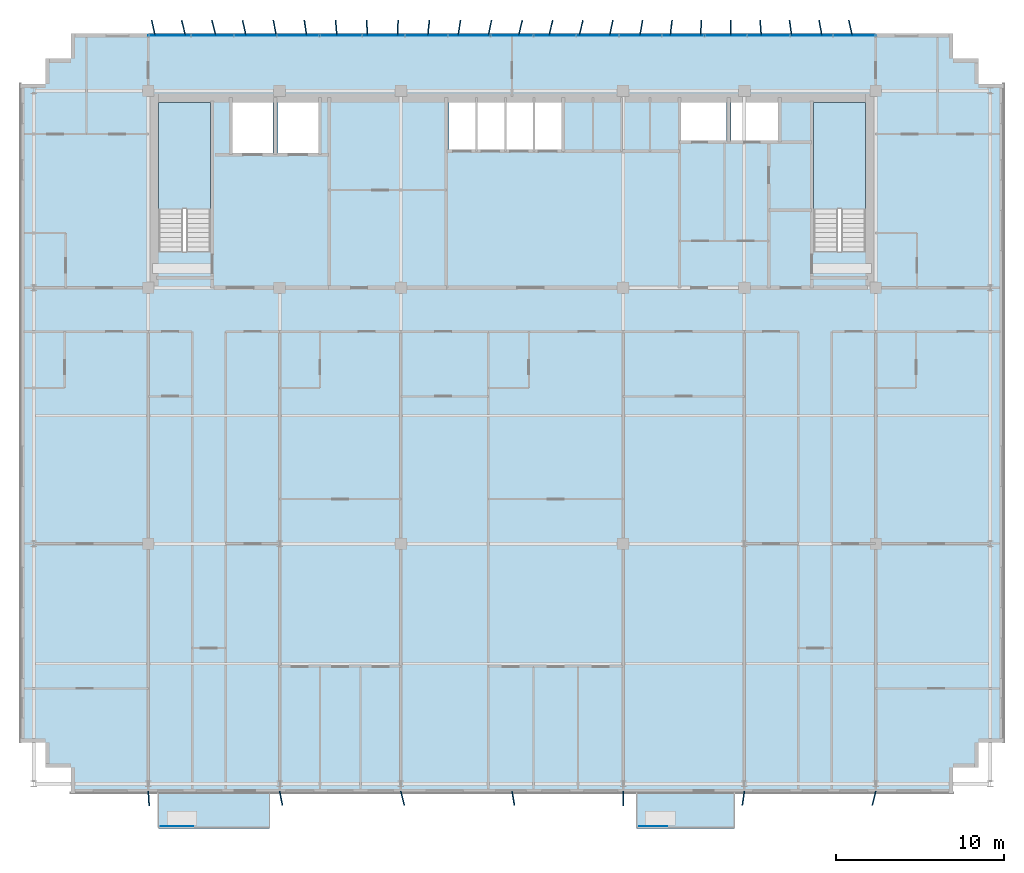
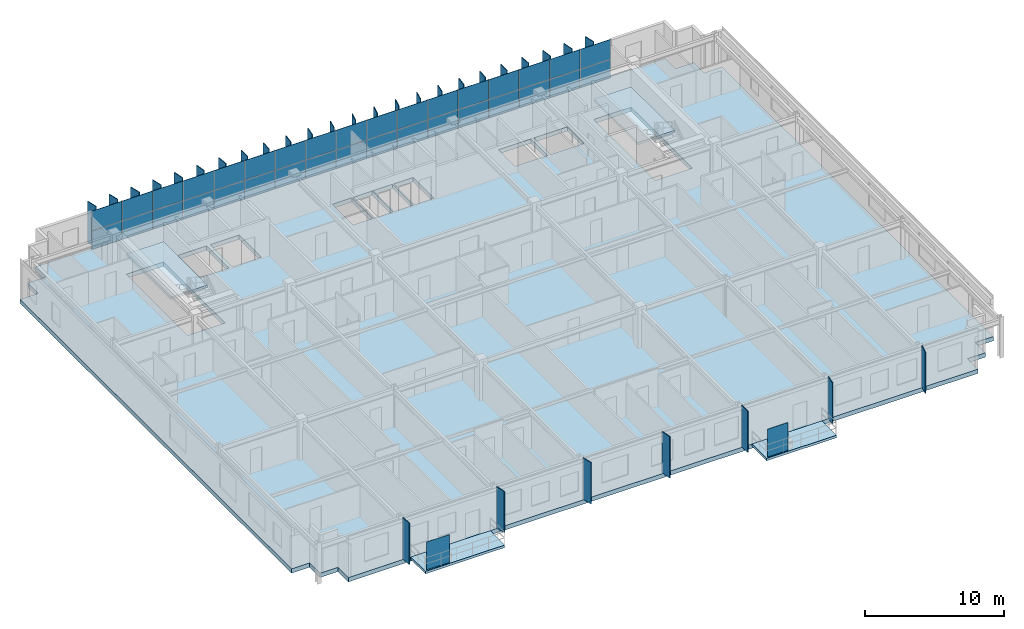
# One storey, part 15 of 23: 67 plates, 5 slabs, 3 elements without a shape of their own.
"""IFC4 building model written with IfcOpenShell, lengths in metres."""

from ifc_helpers import new_model, si_unit, direction, frame, origin, origin_2d, place, context, subcontext, project, spatial, polyline, rectangle, outline, extrude, source, transform, mapped, material, layer, layer_set, type_object, element, aggregate, save


model = new_model("IFC4")

# Units and contexts
model_context = context("Model", 3, precision=1e-05, world=origin(), true_north=direction((0.0, 1.0)))
body_context = subcontext(model_context, "Body", "Model", "MODEL_VIEW")
ifc_project = project(units=[si_unit("LENGTHUNIT", "METRE"), si_unit("AREAUNIT", "SQUARE_METRE"), si_unit("VOLUMEUNIT", "CUBIC_METRE"), si_unit("PLANEANGLEUNIT", "RADIAN"), si_unit("MASSUNIT", "GRAM", prefix="KILO")], contexts=[model_context])

# Site, building, storey
site_placement = place(None, origin())
site = spatial("IfcSite", under=ifc_project, at=site_placement, CompositionType="ELEMENT")
building_placement = place(site_placement, origin())
building = spatial("IfcBuilding", under=site, at=building_placement, Name="Trelvane Seafront Commons", CompositionType="ELEMENT")
storey_placement = place(building_placement, frame((0.0, 0.0, 204.89990234375)))
storey = spatial("IfcBuildingStorey", under=building, at=storey_placement, Name="L53", CompositionType="ELEMENT", Elevation=204.89990234375)

# Slabs
ifc_material_1 = material(Name="Concrete C40/50", Category="concrete")
ifc_layer_1 = layer(ifc_material_1, 0.219970703125, Name="ARCH-BALC-220")
ifc_layer_set_1 = layer_set([ifc_layer_1], Name="Concrete C40/50")
slab_type_1 = type_object("IfcSlabType", Name="ARCH-BALC-220", PredefinedType="FLOOR", material=ifc_layer_set_1)
slab_1_placement = place(storey_placement, frame((0.0, 0.0, -0.219970703125)))
element("IfcSlab", 1, at=slab_1_placement, inside=storey, type_object=slab_type_1, Name="L53 Cantilevered Tree Balcony Loggia 1", PredefinedType="FLOOR", context=body_context, shape_type="SweptSolid", body=[
    extrude(outline(polyline([(16.199951171875, 1.300048828125), (22.800048828125, 1.300048828125), (22.800048828125, 3.39990234375), (16.199951171875, 3.39990234375), (16.199951171875, 1.300048828125)])), origin(), (0.0, 0.0, 1.0), 0.219970703125),
])
slab_2_placement = place(storey_placement, frame((0.0, 0.0, -0.219970703125)))
element("IfcSlab", 2, at=slab_2_placement, inside=storey, type_object=slab_type_1, Name="L53 Cantilevered Tree Balcony Loggia 2", PredefinedType="FLOOR", context=body_context, shape_type="SweptSolid", body=[
    extrude(outline(polyline([(44.60009765625, 1.300048828125), (50.39990234375, 1.300048828125), (50.39990234375, 3.39990234375), (44.60009765625, 3.39990234375), (44.60009765625, 1.300048828125)])), origin(), (0.0, 0.0, 1.0), 0.219970703125),
])

# Stair, slab
stair_type_1 = type_object("IfcStairType", Name="ARCH-STR-ST-1-R20-180", PredefinedType="HALF_TURN_STAIR", material=ifc_material_1)
stair_1_placement = place(storey_placement, origin())
stair_1 = element("IfcStair", 3, at=stair_1_placement, inside=storey, type_object=stair_type_1, Name="L53 West Protected Firefighting Exit Stair ST-1", PredefinedType="HALF_TURN_STAIR")
ifc_layer_2 = layer(ifc_material_1, 0.199951171875, Name="ARCH-LND-200")
ifc_layer_set_2 = layer_set([ifc_layer_2], Name="Concrete C40/50")
slab_type_2 = type_object("IfcSlabType", Name="ARCH-LND-200", PredefinedType="LANDING", material=ifc_layer_set_2)
slab_3_placement = place(storey_placement, frame((0.0, 0.0, 1.60009765625)))
slab_3 = element("IfcSlab", 4, at=slab_3_placement, type_object=slab_type_2, Name="ST-1 landing 1", PredefinedType="LANDING", context=body_context, shape_type="SweptSolid", body=[
    extrude(outline(polyline([(19.300048828125, 38.070068359375), (19.300048828125, 44.39990234375), (16.199951171875, 44.39990234375), (16.199951171875, 38.070068359375), (19.300048828125, 38.070068359375)])), origin(), (0.0, 0.0, 1.0), 0.199951171875),
])
aggregate(stair_1, [slab_3])

stair_type_2 = type_object("IfcStairType", Name="ARCH-STR-ST-2-R20-180", PredefinedType="HALF_TURN_STAIR", material=ifc_material_1)
stair_2_placement = place(storey_placement, origin())
stair_2 = element("IfcStair", 5, at=stair_2_placement, inside=storey, type_object=stair_type_2, Name="L53 East Protected Firefighting Exit Stair ST-2", PredefinedType="HALF_TURN_STAIR")
slab_4_placement = place(storey_placement, frame((0.0, 0.0, 1.60009765625)))
slab_4 = element("IfcSlab", 6, at=slab_4_placement, type_object=slab_type_2, Name="ST-2 landing 1", PredefinedType="LANDING", context=body_context, shape_type="SweptSolid", body=[
    extrude(outline(polyline([(58.199951171875, 38.070068359375), (58.199951171875, 44.39990234375), (55.10009765625, 44.39990234375), (55.10009765625, 38.070068359375), (58.199951171875, 38.070068359375)])), origin(), (0.0, 0.0, 1.0), 0.199951171875),
])
aggregate(stair_2, [slab_4])

# Slab
ifc_material_2 = material(Name="Concrete C60/75", Category="concrete")
ifc_layer_3 = layer(ifc_material_2, 0.3798828125, Name="STR-SLB-T380")
ifc_layer_set_3 = layer_set([ifc_layer_3], Name="Concrete C60/75")
slab_type_3 = type_object("IfcSlabType", Name="STR-SLB-T380", PredefinedType="FLOOR", material=ifc_layer_set_3)
slab_5_placement = place(storey_placement, frame((0.0, 0.0, -0.3798828125)))
element("IfcSlab", 7, at=slab_5_placement, inside=storey, type_object=slab_type_3, Name="L53 Structural Floor Slab", PredefinedType="FLOOR", context=body_context, shape_type="SweptSolid", body=[
    extrude(outline(polyline([(11.0, 3.39990234375), (63.39990234375, 3.39990234375), (63.39990234375, 4.89990234375), (64.89990234375, 4.89990234375), (64.89990234375, 6.39990234375), (66.39990234375, 6.39990234375), (66.39990234375, 45.5), (64.89990234375, 45.5), (64.89990234375, 47.0), (63.39990234375, 47.0), (63.39990234375, 48.5), (11.0, 48.5), (11.0, 47.0), (9.5, 47.0), (9.5, 45.5), (8.0, 45.5), (8.0, 6.39990234375), (9.5, 6.39990234375), (9.5, 4.89990234375), (11.0, 4.89990234375), (11.0, 3.39990234375)]), holes=[polyline([(19.300048828125, 35.550048828125), (16.199951171875, 35.550048828125), (16.199951171875, 44.39990234375), (19.300048828125, 44.39990234375), (19.300048828125, 35.550048828125)]), polyline([(58.199951171875, 35.550048828125), (55.10009765625, 35.550048828125), (55.10009765625, 44.39990234375), (58.199951171875, 44.39990234375), (58.199951171875, 35.550048828125)]), polyline([(23.0, 41.39990234375), (20.60009765625, 41.39990234375), (20.60009765625, 44.60009765625), (23.0, 44.60009765625), (23.0, 41.39990234375)]), polyline([(23.300048828125, 41.39990234375), (23.300048828125, 44.60009765625), (25.699951171875, 44.60009765625), (25.699951171875, 41.39990234375), (23.300048828125, 41.39990234375)]), polyline([(33.449951171875, 41.60009765625), (33.449951171875, 44.60009765625), (35.070068359375, 44.60009765625), (35.070068359375, 41.60009765625), (33.449951171875, 41.60009765625)]), polyline([(36.77001953125, 41.60009765625), (35.14990234375, 41.60009765625), (35.14990234375, 44.60009765625), (36.77001953125, 44.60009765625), (36.77001953125, 41.60009765625)]), polyline([(38.469970703125, 41.60009765625), (36.85009765625, 41.60009765625), (36.85009765625, 44.60009765625), (38.469970703125, 44.60009765625), (38.469970703125, 41.60009765625)]), polyline([(40.169921875, 41.60009765625), (38.550048828125, 41.60009765625), (38.550048828125, 44.60009765625), (40.169921875, 44.60009765625), (40.169921875, 41.60009765625)]), polyline([(47.25, 42.14990234375), (47.25, 44.550048828125), (49.949951171875, 44.550048828125), (49.949951171875, 42.14990234375), (47.25, 42.14990234375)]), polyline([(50.199951171875, 42.14990234375), (50.199951171875, 44.550048828125), (53.0, 44.550048828125), (53.0, 42.14990234375), (50.199951171875, 42.14990234375)])]), origin(), (0.0, 0.0, 1.0), 0.3798828125),
])

# Plates
ifc_material_3 = material(Name="Perforated anodised aluminium screen", Category="aluminium")
ifc_layer_4 = layer(ifc_material_3, 0.01611328125, Name="ARCH-PLATE-SCREEN")
ifc_layer_set_4 = layer_set([ifc_layer_4], Name="Perforated anodised aluminium screen")
plate_type_1 = type_object("IfcPlateType", Name="ARCH-PLATE-SCREEN", PredefinedType="USERDEFINED", material=ifc_layer_set_4)
shared_shape_1 = source(origin(), body_context, "Body", "SweptSolid", [
    extrude(rectangle(XDim=1.9140625, YDim=0.01611328125, at=origin_2d()), origin(), (0.0, 0.0, 1.0), 2.449951171875),
])
plate_1_placement = place(storey_placement, frame((17.306884765625, 1.419921875, 0.0), z_axis=(0.0, 0.0, 1.0), x_axis=(1.0, 0.0, 0.0)))
element("IfcPlate", 8, at=plate_1_placement, inside=storey, type_object=plate_type_1, Name="SCR-L53-00188", ObjectType="SCREEN", PredefinedType="USERDEFINED", context=body_context, shape_type="MappedRepresentation", body=[
    mapped(shared_shape_1, transform((0.0, 0.0, 0.0), x_axis=(1.0, 0.0, 0.0), y_axis=(0.0, 1.0, 0.0), z_axis=(0.0, 0.0, 1.0), scale=1.0)),
])
shared_shape_2 = source(origin(), body_context, "Body", "SweptSolid", [
    extrude(rectangle(XDim=1.681884765625, YDim=0.01611328125, at=origin_2d()), origin(), (0.0, 0.0, 1.0), 2.449951171875),
])
plate_2_placement = place(storey_placement, frame((45.591064453125, 1.419921875, 0.0), z_axis=(0.0, 0.0, 1.0), x_axis=(1.0, 0.0, 0.0)))
element("IfcPlate", 9, at=plate_2_placement, inside=storey, type_object=plate_type_1, Name="SCR-L53-00189", ObjectType="SCREEN", PredefinedType="USERDEFINED", context=body_context, shape_type="MappedRepresentation", body=[
    mapped(shared_shape_2, transform((0.0, 0.0, 0.0), x_axis=(1.0, 0.0, 0.0), y_axis=(0.0, 1.0, 0.0), z_axis=(0.0, 0.0, 1.0), scale=1.0)),
])
ifc_material_4 = material(Name="Anodised pale-silver aluminium", Category="aluminium")
ifc_layer_5 = layer(ifc_material_4, 0.06005859375, Name="ARCH-PLATE-FIN900")
ifc_layer_set_5 = layer_set([ifc_layer_5], Name="Anodised pale-silver aluminium")
plate_type_2 = type_object("IfcPlateType", Name="ARCH-PLATE-FIN900", PredefinedType="USERDEFINED", material=ifc_layer_set_5)
shared_shape_3 = source(origin(), body_context, "Body", "SweptSolid", [
    extrude(rectangle(XDim=0.89990234375, YDim=0.06005859375, at=origin_2d()), origin(), (0.0, 0.0, 1.0), 3.639892578125),
])
for number, where, z_axis, x_axis, name in (
    (10, (15.901123046875, 48.839111328125, -0.02001953125), (0.0, 0.0, 1.0), (-0.219776396002, 0.975550273313, 0.0), "FIN-L53-01449"),
    (11, (17.692626953125, 48.8369140625, -0.02001953125), (0.0, 0.0, 1.0), (-0.238769048477, 0.971076382933, 0.0), "FIN-L53-01450"),
    (12, (19.49169921875, 48.8369140625, -0.02001953125), (0.0, 0.0, 1.0), (-0.240443202498, 0.970663209549, 0.0), "FIN-L53-01451"),
    (13, (21.298828125, 48.83837890625, -0.02001953125), (0.0, 0.0, 1.0), (-0.224665344453, 0.974435981993, 0.0), "FIN-L53-01452"),
    (14, (23.113525390625, 48.841552734375, -0.02001953125), (0.0, 0.0, 1.0), (-0.192225664324, 0.98135074972, 0.0), "FIN-L53-01453"),
    (15, (24.9345703125, 48.84521484375, -0.02001953125), (0.0, 0.0, 1.0), (-0.145449334258, 0.989365701429, 0.0), "FIN-L53-01454"),
    (16, (26.760498046875, 48.848388671875, -0.02001953125), (0.0, 0.0, 1.0), (-0.087670382667, 0.996149538976, 0.0), "FIN-L53-01455"),
    (17, (28.589599609375, 48.849853515625, -0.02001953125), (0.0, 0.0, 1.0), (-0.022999665984, 0.999735472695, 0.0), "FIN-L53-01456"),
    (18, (30.419677734375, 48.849609375, -0.02001953125), (0.0, 0.0, 1.0), (0.043558358901, 0.999050884275, 0.0), "FIN-L53-01457"),
    (19, (32.248046875, 48.847412109375, -0.02001953125), (0.0, 0.0, 1.0), (0.106552151091, 0.99430711508, 0.0), "FIN-L53-01458"),
    (20, (34.072509765625, 48.843994140625, -0.02001953125), (0.0, 0.0, 1.0), (0.161443636877, 0.986881934231, 0.0), "FIN-L53-01459"),
    (21, (35.891845703125, 48.840576171875, -0.02001953125), (0.0, 0.0, 1.0), (0.203993741851, 0.978972192294, 0.0), "FIN-L53-01460"),
    (22, (37.7041015625, 48.837890625, -0.02001953125), (0.0, 0.0, 1.0), (0.231435493737, 0.972850251703, 0.0), "FIN-L53-01461"),
    (23, (39.5087890625, 48.836669921875, -0.02001953125), (0.0, 0.0, 1.0), (0.241881251735, 0.970305859025, 0.0), "FIN-L53-01462"),
    (24, (41.3056640625, 48.83740234375, -0.02001953125), (0.0, 0.0, 1.0), (0.234658612322, 0.972077844446, 0.0), "FIN-L53-01463"),
    (25, (44.876708984375, 48.843505859375, -0.02001953125), (0.0, 0.0, 1.0), (0.170450274655, 0.985366279041, 0.0), "FIN-L53-01465"),
    (26, (46.653076171875, 48.846923828125, -0.02001953125), (0.0, 0.0, 1.0), (0.11767258842, 0.993052446719, 0.0), "FIN-L53-01466"),
    (27, (48.42529296875, 48.849365234375, -0.02001953125), (0.0, 0.0, 1.0), (0.055887723969, 0.998437059764, 0.0), "FIN-L53-01467"),
    (28, (50.1953125, 48.85009765625, -0.02001953125), (0.0, 0.0, 1.0), (-0.01033216533, 0.999946621755, 0.0), "FIN-L53-01468"),
    (29, (51.9658203125, 48.8486328125, -0.02001953125), (0.0, 0.0, 1.0), (-0.075779294112, 0.997124615374, 0.0), "FIN-L53-01469"),
    (30, (53.739013671875, 48.845703125, -0.02001953125), (0.0, 0.0, 1.0), (-0.13533687185, 0.990799642268, 0.0), "FIN-L53-01470"),
    (31, (55.51708984375, 48.84228515625, -0.02001953125), (0.0, 0.0, 1.0), (-0.184436827621, 0.982844370497, 0.0), "FIN-L53-01471"),
    (32, (57.301025390625, 48.839111328125, -0.02001953125), (0.0, 0.0, 1.0), (-0.219776396002, 0.975550273313, 0.0), "FIN-L53-01472"),
):
    element("IfcPlate", number, at=place(storey_placement, frame(where, z_axis=z_axis, x_axis=x_axis)), inside=storey, type_object=plate_type_2, Name=name, ObjectType="FIN", PredefinedType="USERDEFINED", context=body_context, shape_type="MappedRepresentation", body=[
        mapped(shared_shape_3, transform((0.0, 0.0, 0.0), x_axis=(1.0, 0.0, 0.0), y_axis=(0.0, 1.0, 0.0), z_axis=(0.0, 0.0, 1.0), scale=1.0)),
    ])
shared_shape_4 = source(origin(), body_context, "Body", "SweptSolid", [
    extrude(rectangle(XDim=0.900146484375, YDim=0.06005859375, at=origin_2d()), origin(), (0.0, 0.0, 1.0), 3.639892578125),
])
plate_3_placement = place(storey_placement, frame((43.0947265625, 48.840087890625, -0.02001953125), z_axis=(0.0, 0.0, 1.0), x_axis=(0.210432516275, 0.977608385855, 0.0)))
element("IfcPlate", 33, at=plate_3_placement, inside=storey, type_object=plate_type_2, Name="FIN-L53-01464", ObjectType="FIN", PredefinedType="USERDEFINED", context=body_context, shape_type="MappedRepresentation", body=[
    mapped(shared_shape_4, transform((0.0, 0.0, 0.0), x_axis=(1.0, 0.0, 0.0), y_axis=(0.0, 1.0, 0.0), z_axis=(0.0, 0.0, 1.0), scale=1.0)),
])
shared_shape_5 = source(origin(), body_context, "Body", "SweptSolid", [
    extrude(rectangle(XDim=0.85009765625, YDim=0.06005859375, at=origin_2d()), origin(), (0.0, 0.0, 1.0), 3.639892578125),
])
for number, where, z_axis, x_axis, name in (
    (34, (15.627197265625, 3.07568359375, -0.02001953125), (0.0, 0.0, 1.0), (0.063762461564, -0.997965103846, 0.0), "FIN-S-L53-01473"),
    (35, (23.484619140625, 3.08349609375, -0.02001953125), (0.0, 0.0, 1.0), (0.199417532608, -0.979914612448, 0.0), "FIN-S-L53-01474"),
    (36, (30.702392578125, 3.08740234375, -0.02001953125), (0.0, 0.0, 1.0), (0.240929386731, -0.970542647496, 0.0), "FIN-S-L53-01475"),
    (37, (37.2724609375, 3.081298828125, -0.02001953125), (0.0, 0.0, 1.0), (0.170462313162, -0.985364196524, 0.0), "FIN-S-L53-01476"),
    (38, (43.80810546875, 3.0751953125, -0.02001953125), (0.0, 0.0, 1.0), (0.018824009441, -0.999822812637, 0.0), "FIN-S-L53-01477"),
    (39, (50.939697265625, 3.079345703125, -0.02001953125), (0.0, 0.0, 1.0), (-0.141998372633, -0.989866891137, 0.0), "FIN-S-L53-01478"),
    (40, (58.7001953125, 3.0869140625, -0.02001953125), (0.0, 0.0, 1.0), (-0.234694240678, -0.972069243106, 0.0), "FIN-S-L53-01479"),
):
    element("IfcPlate", number, at=place(storey_placement, frame(where, z_axis=z_axis, x_axis=x_axis)), inside=storey, type_object=plate_type_2, Name=name, ObjectType="FIN", PredefinedType="USERDEFINED", context=body_context, shape_type="MappedRepresentation", body=[
        mapped(shared_shape_5, transform((0.0, 0.0, 0.0), x_axis=(1.0, 0.0, 0.0), y_axis=(0.0, 1.0, 0.0), z_axis=(0.0, 0.0, 1.0), scale=1.0)),
    ])

# Curtain wall, plates
curtain_wall_type = type_object("IfcCurtainWallType", Name="ARCH-CW5-UPTOWER", PredefinedType="NOTDEFINED", material=ifc_material_4)
curtain_wall_placement = place(storey_placement, origin())
curtain_wall = element("IfcCurtainWall", 41, at=curtain_wall_placement, inside=storey, type_object=curtain_wall_type, Name="CW-L53-0096", PredefinedType="NOTDEFINED")
ifc_material_5 = material(Name="Low-E coastal double glazing", Category="glass")
ifc_layer_6 = layer(ifc_material_5, 0.033935546875, Name="ARCH-CW-GLAZ-34")
ifc_layer_set_6 = layer_set([ifc_layer_6], Name="Low-E coastal double glazing")
plate_type_3 = type_object("IfcPlateType", Name="ARCH-CW-GLAZ-34", PredefinedType="CURTAIN_PANEL", material=ifc_layer_set_6)
shared_shape_6 = source(origin(), body_context, "Body", "SweptSolid", [
    extrude(rectangle(XDim=2.51708984375, YDim=0.033935546875, at=origin_2d()), origin(), (0.0, 0.0, 1.0), 1.594970703125),
])
plate_4_placement = place(storey_placement, frame((16.87060546875, 48.3701171875, 0.0), z_axis=(0.0, 0.0, 1.0), x_axis=(1.0, 0.0, 0.0)))
plate_4 = element("IfcPlate", 42, at=plate_4_placement, type_object=plate_type_3, Name="CW-L53-0096-P00-1", PredefinedType="CURTAIN_PANEL", context=body_context, shape_type="MappedRepresentation", body=[
    mapped(shared_shape_6, transform((0.0, 0.0, 0.0), x_axis=(1.0, 0.0, 0.0), y_axis=(0.0, 1.0, 0.0), z_axis=(0.0, 0.0, 1.0), scale=1.0)),
])
plate_5_placement = place(storey_placement, frame((19.411865234375, 48.3701171875, 0.0), z_axis=(0.0, 0.0, 1.0), x_axis=(1.0, 0.0, 0.0)))
plate_5 = element("IfcPlate", 43, at=plate_5_placement, type_object=plate_type_3, Name="CW-L53-0096-P01-1", PredefinedType="CURTAIN_PANEL", context=body_context, shape_type="MappedRepresentation", body=[
    mapped(shared_shape_6, transform((0.0, 0.0, 0.0), x_axis=(1.0, 0.0, 0.0), y_axis=(0.0, 1.0, 0.0), z_axis=(0.0, 0.0, 1.0), scale=1.0)),
])
plate_6_placement = place(storey_placement, frame((21.952880859375, 48.3701171875, 0.0), z_axis=(0.0, 0.0, 1.0), x_axis=(1.0, 0.0, 0.0)))
plate_6 = element("IfcPlate", 44, at=plate_6_placement, type_object=plate_type_3, Name="CW-L53-0096-P02-1", PredefinedType="CURTAIN_PANEL", context=body_context, shape_type="MappedRepresentation", body=[
    mapped(shared_shape_6, transform((0.0, 0.0, 0.0), x_axis=(1.0, 0.0, 0.0), y_axis=(0.0, 1.0, 0.0), z_axis=(0.0, 0.0, 1.0), scale=1.0)),
])
plate_7_placement = place(storey_placement, frame((24.494140625, 48.3701171875, 0.0), z_axis=(0.0, 0.0, 1.0), x_axis=(1.0, 0.0, 0.0)))
plate_7 = element("IfcPlate", 45, at=plate_7_placement, type_object=plate_type_3, Name="CW-L53-0096-P03-1", PredefinedType="CURTAIN_PANEL", context=body_context, shape_type="MappedRepresentation", body=[
    mapped(shared_shape_6, transform((0.0, 0.0, 0.0), x_axis=(1.0, 0.0, 0.0), y_axis=(0.0, 1.0, 0.0), z_axis=(0.0, 0.0, 1.0), scale=1.0)),
])
plate_8_placement = place(storey_placement, frame((27.035400390625, 48.3701171875, 0.0), z_axis=(0.0, 0.0, 1.0), x_axis=(1.0, 0.0, 0.0)))
plate_8 = element("IfcPlate", 46, at=plate_8_placement, type_object=plate_type_3, Name="CW-L53-0096-P04-1", PredefinedType="CURTAIN_PANEL", context=body_context, shape_type="MappedRepresentation", body=[
    mapped(shared_shape_6, transform((0.0, 0.0, 0.0), x_axis=(1.0, 0.0, 0.0), y_axis=(0.0, 1.0, 0.0), z_axis=(0.0, 0.0, 1.0), scale=1.0)),
])
plate_9_placement = place(storey_placement, frame((29.576416015625, 48.3701171875, 0.0), z_axis=(0.0, 0.0, 1.0), x_axis=(1.0, 0.0, 0.0)))
plate_9 = element("IfcPlate", 47, at=plate_9_placement, type_object=plate_type_3, Name="CW-L53-0096-P05-1", PredefinedType="CURTAIN_PANEL", context=body_context, shape_type="MappedRepresentation", body=[
    mapped(shared_shape_6, transform((0.0, 0.0, 0.0), x_axis=(1.0, 0.0, 0.0), y_axis=(0.0, 1.0, 0.0), z_axis=(0.0, 0.0, 1.0), scale=1.0)),
])
plate_10_placement = place(storey_placement, frame((32.11767578125, 48.3701171875, 0.0), z_axis=(0.0, 0.0, 1.0), x_axis=(1.0, 0.0, 0.0)))
plate_10 = element("IfcPlate", 48, at=plate_10_placement, type_object=plate_type_3, Name="CW-L53-0096-P06-1", PredefinedType="CURTAIN_PANEL", context=body_context, shape_type="MappedRepresentation", body=[
    mapped(shared_shape_6, transform((0.0, 0.0, 0.0), x_axis=(1.0, 0.0, 0.0), y_axis=(0.0, 1.0, 0.0), z_axis=(0.0, 0.0, 1.0), scale=1.0)),
])
plate_11_placement = place(storey_placement, frame((34.65869140625, 48.3701171875, 0.0), z_axis=(0.0, 0.0, 1.0), x_axis=(1.0, 0.0, 0.0)))
plate_11 = element("IfcPlate", 49, at=plate_11_placement, type_object=plate_type_3, Name="CW-L53-0096-P07-1", PredefinedType="CURTAIN_PANEL", context=body_context, shape_type="MappedRepresentation", body=[
    mapped(shared_shape_6, transform((0.0, 0.0, 0.0), x_axis=(1.0, 0.0, 0.0), y_axis=(0.0, 1.0, 0.0), z_axis=(0.0, 0.0, 1.0), scale=1.0)),
])
plate_12_placement = place(storey_placement, frame((37.199951171875, 48.3701171875, 0.0), z_axis=(0.0, 0.0, 1.0), x_axis=(1.0, 0.0, 0.0)))
plate_12 = element("IfcPlate", 50, at=plate_12_placement, type_object=plate_type_3, Name="CW-L53-0096-P08-1", PredefinedType="CURTAIN_PANEL", context=body_context, shape_type="MappedRepresentation", body=[
    mapped(shared_shape_6, transform((0.0, 0.0, 0.0), x_axis=(1.0, 0.0, 0.0), y_axis=(0.0, 1.0, 0.0), z_axis=(0.0, 0.0, 1.0), scale=1.0)),
])
plate_13_placement = place(storey_placement, frame((39.7412109375, 48.3701171875, 0.0), z_axis=(0.0, 0.0, 1.0), x_axis=(1.0, 0.0, 0.0)))
plate_13 = element("IfcPlate", 51, at=plate_13_placement, type_object=plate_type_3, Name="CW-L53-0096-P09-1", PredefinedType="CURTAIN_PANEL", context=body_context, shape_type="MappedRepresentation", body=[
    mapped(shared_shape_6, transform((0.0, 0.0, 0.0), x_axis=(1.0, 0.0, 0.0), y_axis=(0.0, 1.0, 0.0), z_axis=(0.0, 0.0, 1.0), scale=1.0)),
])
plate_14_placement = place(storey_placement, frame((42.282470703125, 48.3701171875, 0.0), z_axis=(0.0, 0.0, 1.0), x_axis=(1.0, 0.0, 0.0)))
plate_14 = element("IfcPlate", 52, at=plate_14_placement, type_object=plate_type_3, Name="CW-L53-0096-P10-1", PredefinedType="CURTAIN_PANEL", context=body_context, shape_type="MappedRepresentation", body=[
    mapped(shared_shape_6, transform((0.0, 0.0, 0.0), x_axis=(1.0, 0.0, 0.0), y_axis=(0.0, 1.0, 0.0), z_axis=(0.0, 0.0, 1.0), scale=1.0)),
])
plate_15_placement = place(storey_placement, frame((44.823486328125, 48.3701171875, 0.0), z_axis=(0.0, 0.0, 1.0), x_axis=(1.0, 0.0, 0.0)))
plate_15 = element("IfcPlate", 53, at=plate_15_placement, type_object=plate_type_3, Name="CW-L53-0096-P11-1", PredefinedType="CURTAIN_PANEL", context=body_context, shape_type="MappedRepresentation", body=[
    mapped(shared_shape_6, transform((0.0, 0.0, 0.0), x_axis=(1.0, 0.0, 0.0), y_axis=(0.0, 1.0, 0.0), z_axis=(0.0, 0.0, 1.0), scale=1.0)),
])
plate_16_placement = place(storey_placement, frame((47.36474609375, 48.3701171875, 0.0), z_axis=(0.0, 0.0, 1.0), x_axis=(1.0, 0.0, 0.0)))
plate_16 = element("IfcPlate", 54, at=plate_16_placement, type_object=plate_type_3, Name="CW-L53-0096-P12-1", PredefinedType="CURTAIN_PANEL", context=body_context, shape_type="MappedRepresentation", body=[
    mapped(shared_shape_6, transform((0.0, 0.0, 0.0), x_axis=(1.0, 0.0, 0.0), y_axis=(0.0, 1.0, 0.0), z_axis=(0.0, 0.0, 1.0), scale=1.0)),
])
plate_17_placement = place(storey_placement, frame((49.906005859375, 48.3701171875, 0.0), z_axis=(0.0, 0.0, 1.0), x_axis=(1.0, 0.0, 0.0)))
plate_17 = element("IfcPlate", 55, at=plate_17_placement, type_object=plate_type_3, Name="CW-L53-0096-P13-1", PredefinedType="CURTAIN_PANEL", context=body_context, shape_type="MappedRepresentation", body=[
    mapped(shared_shape_6, transform((0.0, 0.0, 0.0), x_axis=(1.0, 0.0, 0.0), y_axis=(0.0, 1.0, 0.0), z_axis=(0.0, 0.0, 1.0), scale=1.0)),
])
plate_18_placement = place(storey_placement, frame((52.447021484375, 48.3701171875, 0.0), z_axis=(0.0, 0.0, 1.0), x_axis=(1.0, 0.0, 0.0)))
plate_18 = element("IfcPlate", 56, at=plate_18_placement, type_object=plate_type_3, Name="CW-L53-0096-P14-1", PredefinedType="CURTAIN_PANEL", context=body_context, shape_type="MappedRepresentation", body=[
    mapped(shared_shape_6, transform((0.0, 0.0, 0.0), x_axis=(1.0, 0.0, 0.0), y_axis=(0.0, 1.0, 0.0), z_axis=(0.0, 0.0, 1.0), scale=1.0)),
])
plate_19_placement = place(storey_placement, frame((54.98828125, 48.3701171875, 0.0), z_axis=(0.0, 0.0, 1.0), x_axis=(1.0, 0.0, 0.0)))
plate_19 = element("IfcPlate", 57, at=plate_19_placement, type_object=plate_type_3, Name="CW-L53-0096-P15-1", PredefinedType="CURTAIN_PANEL", context=body_context, shape_type="MappedRepresentation", body=[
    mapped(shared_shape_6, transform((0.0, 0.0, 0.0), x_axis=(1.0, 0.0, 0.0), y_axis=(0.0, 1.0, 0.0), z_axis=(0.0, 0.0, 1.0), scale=1.0)),
])
plate_20_placement = place(storey_placement, frame((57.529296875, 48.3701171875, 0.0), z_axis=(0.0, 0.0, 1.0), x_axis=(1.0, 0.0, 0.0)))
plate_20 = element("IfcPlate", 58, at=plate_20_placement, type_object=plate_type_3, Name="CW-L53-0096-P16-1", PredefinedType="CURTAIN_PANEL", context=body_context, shape_type="MappedRepresentation", body=[
    mapped(shared_shape_6, transform((0.0, 0.0, 0.0), x_axis=(1.0, 0.0, 0.0), y_axis=(0.0, 1.0, 0.0), z_axis=(0.0, 0.0, 1.0), scale=1.0)),
])
shared_shape_7 = source(origin(), body_context, "Body", "SweptSolid", [
    extrude(rectangle(XDim=2.51708984375, YDim=0.033935546875, at=origin_2d()), origin(), (0.0, 0.0, 1.0), 1.72900390625),
])
plate_21_placement = place(storey_placement, frame((16.87060546875, 48.3701171875, 1.631103515625), z_axis=(0.0, 0.0, 1.0), x_axis=(1.0, 0.0, 0.0)))
plate_21 = element("IfcPlate", 59, at=plate_21_placement, type_object=plate_type_3, Name="CW-L53-0096-P00-2", PredefinedType="CURTAIN_PANEL", context=body_context, shape_type="MappedRepresentation", body=[
    mapped(shared_shape_7, transform((0.0, 0.0, 0.0), x_axis=(1.0, 0.0, 0.0), y_axis=(0.0, 1.0, 0.0), z_axis=(0.0, 0.0, 1.0), scale=1.0)),
])
plate_22_placement = place(storey_placement, frame((19.411865234375, 48.3701171875, 1.631103515625), z_axis=(0.0, 0.0, 1.0), x_axis=(1.0, 0.0, 0.0)))
plate_22 = element("IfcPlate", 60, at=plate_22_placement, type_object=plate_type_3, Name="CW-L53-0096-P01-2", PredefinedType="CURTAIN_PANEL", context=body_context, shape_type="MappedRepresentation", body=[
    mapped(shared_shape_7, transform((0.0, 0.0, 0.0), x_axis=(1.0, 0.0, 0.0), y_axis=(0.0, 1.0, 0.0), z_axis=(0.0, 0.0, 1.0), scale=1.0)),
])
plate_23_placement = place(storey_placement, frame((21.952880859375, 48.3701171875, 1.631103515625), z_axis=(0.0, 0.0, 1.0), x_axis=(1.0, 0.0, 0.0)))
plate_23 = element("IfcPlate", 61, at=plate_23_placement, type_object=plate_type_3, Name="CW-L53-0096-P02-2", PredefinedType="CURTAIN_PANEL", context=body_context, shape_type="MappedRepresentation", body=[
    mapped(shared_shape_7, transform((0.0, 0.0, 0.0), x_axis=(1.0, 0.0, 0.0), y_axis=(0.0, 1.0, 0.0), z_axis=(0.0, 0.0, 1.0), scale=1.0)),
])
plate_24_placement = place(storey_placement, frame((24.494140625, 48.3701171875, 1.631103515625), z_axis=(0.0, 0.0, 1.0), x_axis=(1.0, 0.0, 0.0)))
plate_24 = element("IfcPlate", 62, at=plate_24_placement, type_object=plate_type_3, Name="CW-L53-0096-P03-2", PredefinedType="CURTAIN_PANEL", context=body_context, shape_type="MappedRepresentation", body=[
    mapped(shared_shape_7, transform((0.0, 0.0, 0.0), x_axis=(1.0, 0.0, 0.0), y_axis=(0.0, 1.0, 0.0), z_axis=(0.0, 0.0, 1.0), scale=1.0)),
])
plate_25_placement = place(storey_placement, frame((27.035400390625, 48.3701171875, 1.631103515625), z_axis=(0.0, 0.0, 1.0), x_axis=(1.0, 0.0, 0.0)))
plate_25 = element("IfcPlate", 63, at=plate_25_placement, type_object=plate_type_3, Name="CW-L53-0096-P04-2", PredefinedType="CURTAIN_PANEL", context=body_context, shape_type="MappedRepresentation", body=[
    mapped(shared_shape_7, transform((0.0, 0.0, 0.0), x_axis=(1.0, 0.0, 0.0), y_axis=(0.0, 1.0, 0.0), z_axis=(0.0, 0.0, 1.0), scale=1.0)),
])
plate_26_placement = place(storey_placement, frame((29.576416015625, 48.3701171875, 1.631103515625), z_axis=(0.0, 0.0, 1.0), x_axis=(1.0, 0.0, 0.0)))
plate_26 = element("IfcPlate", 64, at=plate_26_placement, type_object=plate_type_3, Name="CW-L53-0096-P05-2", PredefinedType="CURTAIN_PANEL", context=body_context, shape_type="MappedRepresentation", body=[
    mapped(shared_shape_7, transform((0.0, 0.0, 0.0), x_axis=(1.0, 0.0, 0.0), y_axis=(0.0, 1.0, 0.0), z_axis=(0.0, 0.0, 1.0), scale=1.0)),
])
plate_27_placement = place(storey_placement, frame((32.11767578125, 48.3701171875, 1.631103515625), z_axis=(0.0, 0.0, 1.0), x_axis=(1.0, 0.0, 0.0)))
plate_27 = element("IfcPlate", 65, at=plate_27_placement, type_object=plate_type_3, Name="CW-L53-0096-P06-2", PredefinedType="CURTAIN_PANEL", context=body_context, shape_type="MappedRepresentation", body=[
    mapped(shared_shape_7, transform((0.0, 0.0, 0.0), x_axis=(1.0, 0.0, 0.0), y_axis=(0.0, 1.0, 0.0), z_axis=(0.0, 0.0, 1.0), scale=1.0)),
])
plate_28_placement = place(storey_placement, frame((34.65869140625, 48.3701171875, 1.631103515625), z_axis=(0.0, 0.0, 1.0), x_axis=(1.0, 0.0, 0.0)))
plate_28 = element("IfcPlate", 66, at=plate_28_placement, type_object=plate_type_3, Name="CW-L53-0096-P07-2", PredefinedType="CURTAIN_PANEL", context=body_context, shape_type="MappedRepresentation", body=[
    mapped(shared_shape_7, transform((0.0, 0.0, 0.0), x_axis=(1.0, 0.0, 0.0), y_axis=(0.0, 1.0, 0.0), z_axis=(0.0, 0.0, 1.0), scale=1.0)),
])
plate_29_placement = place(storey_placement, frame((37.199951171875, 48.3701171875, 1.631103515625), z_axis=(0.0, 0.0, 1.0), x_axis=(1.0, 0.0, 0.0)))
plate_29 = element("IfcPlate", 67, at=plate_29_placement, type_object=plate_type_3, Name="CW-L53-0096-P08-2", PredefinedType="CURTAIN_PANEL", context=body_context, shape_type="MappedRepresentation", body=[
    mapped(shared_shape_7, transform((0.0, 0.0, 0.0), x_axis=(1.0, 0.0, 0.0), y_axis=(0.0, 1.0, 0.0), z_axis=(0.0, 0.0, 1.0), scale=1.0)),
])
plate_30_placement = place(storey_placement, frame((39.7412109375, 48.3701171875, 1.631103515625), z_axis=(0.0, 0.0, 1.0), x_axis=(1.0, 0.0, 0.0)))
plate_30 = element("IfcPlate", 68, at=plate_30_placement, type_object=plate_type_3, Name="CW-L53-0096-P09-2", PredefinedType="CURTAIN_PANEL", context=body_context, shape_type="MappedRepresentation", body=[
    mapped(shared_shape_7, transform((0.0, 0.0, 0.0), x_axis=(1.0, 0.0, 0.0), y_axis=(0.0, 1.0, 0.0), z_axis=(0.0, 0.0, 1.0), scale=1.0)),
])
plate_31_placement = place(storey_placement, frame((42.282470703125, 48.3701171875, 1.631103515625), z_axis=(0.0, 0.0, 1.0), x_axis=(1.0, 0.0, 0.0)))
plate_31 = element("IfcPlate", 69, at=plate_31_placement, type_object=plate_type_3, Name="CW-L53-0096-P10-2", PredefinedType="CURTAIN_PANEL", context=body_context, shape_type="MappedRepresentation", body=[
    mapped(shared_shape_7, transform((0.0, 0.0, 0.0), x_axis=(1.0, 0.0, 0.0), y_axis=(0.0, 1.0, 0.0), z_axis=(0.0, 0.0, 1.0), scale=1.0)),
])
plate_32_placement = place(storey_placement, frame((44.823486328125, 48.3701171875, 1.631103515625), z_axis=(0.0, 0.0, 1.0), x_axis=(1.0, 0.0, 0.0)))
plate_32 = element("IfcPlate", 70, at=plate_32_placement, type_object=plate_type_3, Name="CW-L53-0096-P11-2", PredefinedType="CURTAIN_PANEL", context=body_context, shape_type="MappedRepresentation", body=[
    mapped(shared_shape_7, transform((0.0, 0.0, 0.0), x_axis=(1.0, 0.0, 0.0), y_axis=(0.0, 1.0, 0.0), z_axis=(0.0, 0.0, 1.0), scale=1.0)),
])
plate_33_placement = place(storey_placement, frame((47.36474609375, 48.3701171875, 1.631103515625), z_axis=(0.0, 0.0, 1.0), x_axis=(1.0, 0.0, 0.0)))
plate_33 = element("IfcPlate", 71, at=plate_33_placement, type_object=plate_type_3, Name="CW-L53-0096-P12-2", PredefinedType="CURTAIN_PANEL", context=body_context, shape_type="MappedRepresentation", body=[
    mapped(shared_shape_7, transform((0.0, 0.0, 0.0), x_axis=(1.0, 0.0, 0.0), y_axis=(0.0, 1.0, 0.0), z_axis=(0.0, 0.0, 1.0), scale=1.0)),
])
plate_34_placement = place(storey_placement, frame((49.906005859375, 48.3701171875, 1.631103515625), z_axis=(0.0, 0.0, 1.0), x_axis=(1.0, 0.0, 0.0)))
plate_34 = element("IfcPlate", 72, at=plate_34_placement, type_object=plate_type_3, Name="CW-L53-0096-P13-2", PredefinedType="CURTAIN_PANEL", context=body_context, shape_type="MappedRepresentation", body=[
    mapped(shared_shape_7, transform((0.0, 0.0, 0.0), x_axis=(1.0, 0.0, 0.0), y_axis=(0.0, 1.0, 0.0), z_axis=(0.0, 0.0, 1.0), scale=1.0)),
])
plate_35_placement = place(storey_placement, frame((52.447021484375, 48.3701171875, 1.631103515625), z_axis=(0.0, 0.0, 1.0), x_axis=(1.0, 0.0, 0.0)))
plate_35 = element("IfcPlate", 73, at=plate_35_placement, type_object=plate_type_3, Name="CW-L53-0096-P14-2", PredefinedType="CURTAIN_PANEL", context=body_context, shape_type="MappedRepresentation", body=[
    mapped(shared_shape_7, transform((0.0, 0.0, 0.0), x_axis=(1.0, 0.0, 0.0), y_axis=(0.0, 1.0, 0.0), z_axis=(0.0, 0.0, 1.0), scale=1.0)),
])
plate_36_placement = place(storey_placement, frame((54.98828125, 48.3701171875, 1.631103515625), z_axis=(0.0, 0.0, 1.0), x_axis=(1.0, 0.0, 0.0)))
plate_36 = element("IfcPlate", 74, at=plate_36_placement, type_object=plate_type_3, Name="CW-L53-0096-P15-2", PredefinedType="CURTAIN_PANEL", context=body_context, shape_type="MappedRepresentation", body=[
    mapped(shared_shape_7, transform((0.0, 0.0, 0.0), x_axis=(1.0, 0.0, 0.0), y_axis=(0.0, 1.0, 0.0), z_axis=(0.0, 0.0, 1.0), scale=1.0)),
])
plate_37_placement = place(storey_placement, frame((57.529296875, 48.3701171875, 1.631103515625), z_axis=(0.0, 0.0, 1.0), x_axis=(1.0, 0.0, 0.0)))
plate_37 = element("IfcPlate", 75, at=plate_37_placement, type_object=plate_type_3, Name="CW-L53-0096-P16-2", PredefinedType="CURTAIN_PANEL", context=body_context, shape_type="MappedRepresentation", body=[
    mapped(shared_shape_7, transform((0.0, 0.0, 0.0), x_axis=(1.0, 0.0, 0.0), y_axis=(0.0, 1.0, 0.0), z_axis=(0.0, 0.0, 1.0), scale=1.0)),
])
aggregate(curtain_wall, [plate_4, plate_21, plate_5, plate_22, plate_6, plate_23, plate_7, plate_24, plate_8, plate_25, plate_9, plate_26, plate_10, plate_27, plate_11, plate_28, plate_12, plate_29, plate_13, plate_30, plate_14, plate_31, plate_15, plate_32, plate_16, plate_33, plate_17, plate_34, plate_18, plate_35, plate_19, plate_36, plate_20, plate_37])

save(model, "model.ifc")
